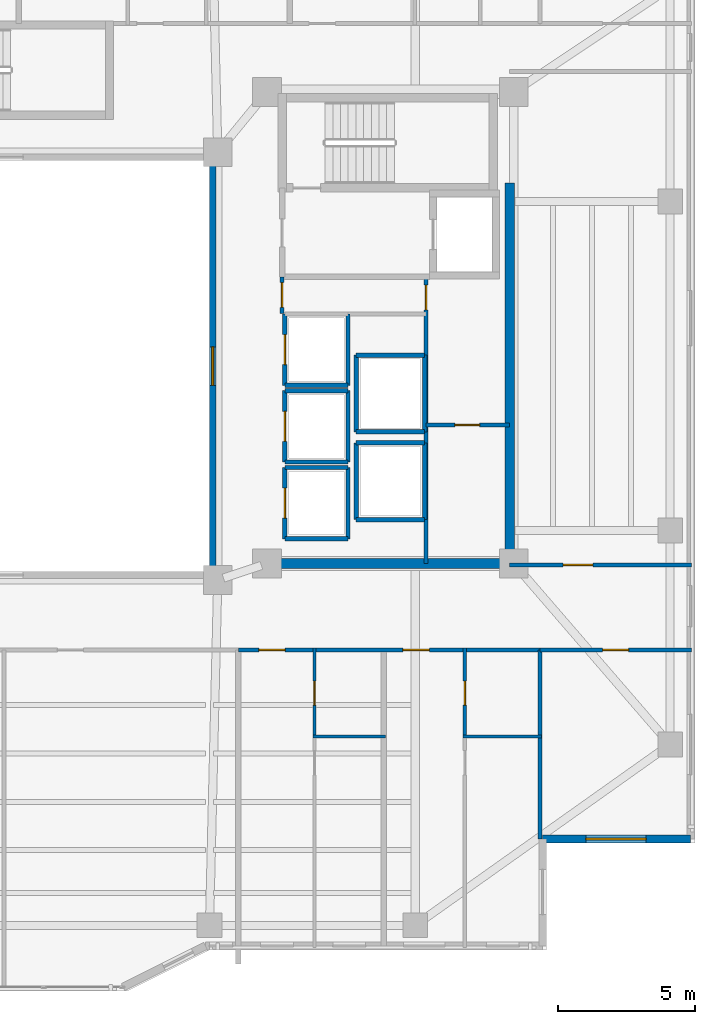
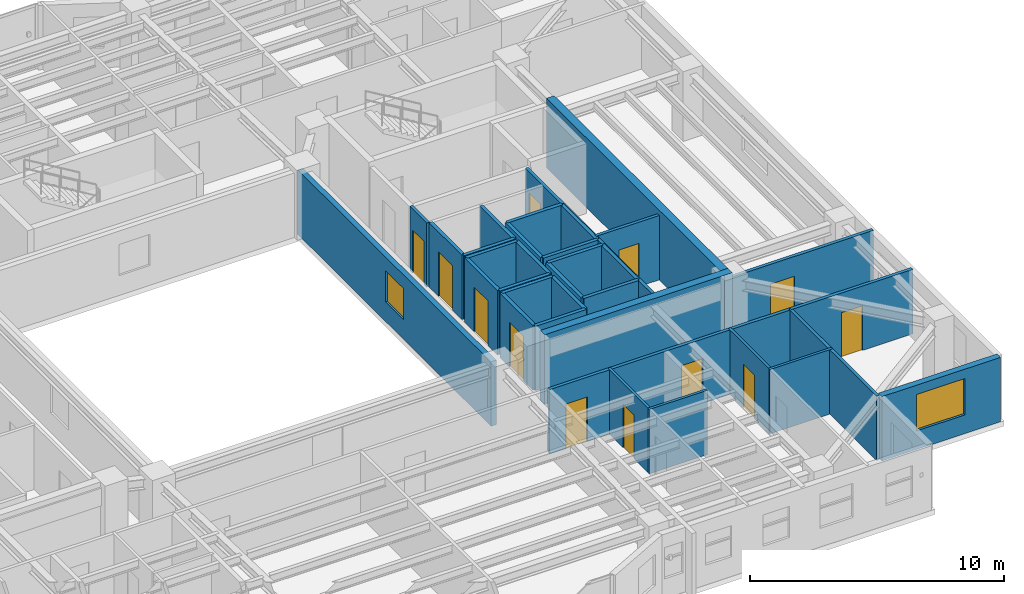
# One storey, part 8 of 16: 34 walls, 12 doors, 2 windows, 14 openings.
"""IFC4 building model written with IfcOpenShell, lengths in metres."""

from ifc_helpers import new_model, si_unit, direction, frame, frame_2d, origin, place, context, subcontext, project, spatial, rectangle, extrude, material, layer, layer_set, type_object, element, fill, save


model = new_model("IFC4")

# Units and contexts
model_context = context("Model", 3, precision=1e-05, world=origin(), true_north=direction((0.0, 1.0)))
body_context = subcontext(model_context, "Body", "Model", "MODEL_VIEW")
ifc_project = project(units=[si_unit("LENGTHUNIT", "METRE"), si_unit("AREAUNIT", "SQUARE_METRE"), si_unit("VOLUMEUNIT", "CUBIC_METRE"), si_unit("PLANEANGLEUNIT", "RADIAN"), si_unit("MASSUNIT", "GRAM", prefix="KILO")], contexts=[model_context])

# Site, building, storey
site_placement = place(None, origin())
site = spatial("IfcSite", under=ifc_project, at=site_placement, CompositionType="ELEMENT")
building_placement = place(site_placement, origin())
building = spatial("IfcBuilding", under=site, at=building_placement, Name="Tarnavaz Court Tower", CompositionType="ELEMENT")
storey_placement = place(building_placement, frame((0.0, 0.0, 152.699951171875)))
storey = spatial("IfcBuildingStorey", under=building, at=storey_placement, Name="L41", CompositionType="ELEMENT", Elevation=152.699951171875)

# Walls
ifc_material_1 = material(Name="Concrete C50/60", Category="concrete")
ifc_layer_1 = layer(ifc_material_1, 0.35009765625)
ifc_layer_set_1 = layer_set([ifc_layer_1], Name="Concrete C50/60")
wall_type_1 = type_object("IfcWallType", Name="WL-CORE-350-C50", PredefinedType="SHEAR", material=ifc_layer_set_1)
wall_1_placement = place(storey_placement, frame((18.449951171875, -7.375, 0.0), z_axis=(0.0, 0.0, 1.0), x_axis=(0.0, 1.0, 0.0)))
element("IfcWall", 1, at=wall_1_placement, inside=storey, type_object=wall_type_1, Name="L41 East Core Shear Wall 059", PredefinedType="SHEAR", context=body_context, shape_type="SweptSolid", body=[
    extrude(rectangle(XDim=14.050048828125, YDim=0.35009765625, at=frame_2d((7.02490234375, 0.0))), origin(), (0.0, 0.0, 1.0), 3.35009765625),
])
wall_2_placement = place(storey_placement, frame((10.074951171875, -7.199951171875, 0.0), z_axis=(0.0, 0.0, 1.0), x_axis=(1.0, 0.0, 0.0)))
element("IfcWall", 2, at=wall_2_placement, inside=storey, type_object=wall_type_1, Name="L41 East Core South Shear Wall 060", PredefinedType="SHEAR", context=body_context, shape_type="SweptSolid", body=[
    extrude(rectangle(XDim=8.550048828125, YDim=0.35009765625, at=frame_2d((4.27490234375, 0.0))), origin(), (0.0, 0.0, 1.0), 3.35009765625),
])

# Wall, opening, window
ifc_material_2 = material(Name="Precast Concrete C40/50", Category="concrete")
ifc_layer_2 = layer(ifc_material_2, 0.280029296875)
ifc_layer_set_2 = layer_set([ifc_layer_2], Name="Precast Concrete C40/50")
wall_type_2 = type_object("IfcWallType", Name="WL-EXT-280", PredefinedType="SOLIDWALL", material=ifc_layer_set_2)
wall_3_placement = place(storey_placement, frame((25.050048828125, -17.25, 0.0), z_axis=(0.0, 0.0, 1.0), x_axis=(-1.0, 0.0, 0.0)))
wall_3 = element("IfcWall", 3, at=wall_3_placement, inside=storey, type_object=wall_type_2, Name="L41 Exterior Terracotta Facade Wall 13", PredefinedType="SOLIDWALL", context=body_context, shape_type="SweptSolid", body=[
    extrude(rectangle(XDim=5.400146484375, YDim=0.280029296875, at=frame_2d((2.7001953125, 0.0))), origin(), (0.0, 0.0, 1.0), 3.10009765625),
])
opening_1_placement = place(wall_3_placement, frame((1.625, 0.0, 0.89990234375)))
opening_1 = element("IfcOpeningElement", 4, at=opening_1_placement, cuts=wall_3, Name="Opening W07", PredefinedType="OPENING", context=body_context, shape_type="SweptSolid", body=[
    extrude(rectangle(XDim=2.199951171875, YDim=1.75, at=frame_2d((1.10009765625, 0.875))), frame((0.0, 0.14990234375, 0.0), z_axis=(0.0, -1.0, 0.0), x_axis=(1.0, 0.0, 0.0)), (0.0, 0.0, 1.0), 0.300048828125),
])
ifc_material_3 = material(Name="Double-Glazed Solar Low-E Glass", Category="glass")
window_type_1 = type_object("IfcWindowType", Name="WN-APT-2200", PartitioningType="TRIPLE_PANEL_VERTICAL", PredefinedType="WINDOW", material=ifc_material_3)
window_1_placement = place(opening_1_placement, origin())
window_1 = element("IfcWindow", 5, at=window_1_placement, inside=storey, type_object=window_type_1, Name="L41 South-East Corner Reading Room Window", OverallHeight=1.75, OverallWidth=2.199951171875, PartitioningType="SINGLE_PANEL", PredefinedType="WINDOW", context=body_context, shape_type="SweptSolid", body=[
    extrude(rectangle(XDim=2.199951171875, YDim=1.75, at=frame_2d((1.10009765625, 0.875))), frame((0.0, 0.030029296875, 0.0), z_axis=(0.0, -1.0, 0.0), x_axis=(1.0, 0.0, 0.0)), (0.0, 0.0, 1.0), 0.06005859375),
])
fill(opening_1, window_1)

# Wall, openings, doors
ifc_material_4 = material(Name="Gypsum Fire-Board on Acoustic Metal Stud", Category="masonry")
ifc_layer_3 = layer(ifc_material_4, 0.14990234375)
ifc_layer_set_3 = layer_set([ifc_layer_3], Name="Gypsum Fire-Board on Acoustic Metal Stud")
wall_type_3 = type_object("IfcWallType", Name="WL-FIRE-150", PredefinedType="PARTITIONING", material=ifc_layer_set_3)
wall_4_placement = place(storey_placement, frame((8.550048828125, -10.35009765625, 0.0), z_axis=(0.0, 0.0, 1.0), x_axis=(1.0, 0.0, 0.0)))
wall_4 = element("IfcWall", 6, at=wall_4_placement, inside=storey, type_object=wall_type_3, Name="L41 SE Horseshoe Wall 074", PredefinedType="PARTITIONING", context=body_context, shape_type="SweptSolid", body=[
    extrude(rectangle(XDim=11.0, YDim=0.14990234375, at=frame_2d((5.5, 0.0))), origin(), (0.0, 0.0, 1.0), 3.10009765625),
])
opening_2_placement = place(wall_4_placement, frame((0.75, 0.0, 0.0)))
opening_2 = element("IfcOpeningElement", 7, at=opening_2_placement, cuts=wall_4, Name="Opening D06", PredefinedType="OPENING", context=body_context, shape_type="SweptSolid", body=[
    extrude(rectangle(XDim=0.9599609375, YDim=2.14990234375, at=frame_2d((0.47998046875, 1.074951171875))), frame((0.0, 0.0849609375, 0.0), z_axis=(0.0, -1.0, 0.0), x_axis=(1.0, 0.0, 0.0)), (0.0, 0.0, 1.0), 0.169921875),
])
opening_3_placement = place(wall_4_placement, frame((6.006103515625, 0.0, 0.0)))
opening_3 = element("IfcOpeningElement", 8, at=opening_3_placement, cuts=wall_4, Name="Opening D06", PredefinedType="OPENING", context=body_context, shape_type="SweptSolid", body=[
    extrude(rectangle(XDim=0.9599609375, YDim=2.14990234375, at=frame_2d((0.47998046875, 1.074951171875))), frame((0.0, 0.0849609375, 0.0), z_axis=(0.0, -1.0, 0.0), x_axis=(1.0, 0.0, 0.0)), (0.0, 0.0, 1.0), 0.169921875),
])
ifc_material_5 = material(Name="Fire-Rated Hardwood Timber Core", Category="wood")
door_type_1 = type_object("IfcDoorType", Name="DR-FD60-950", OperationType="NOTDEFINED", PredefinedType="DOOR", material=ifc_material_5)
door_1_placement = place(opening_2_placement, origin())
door_1 = element("IfcDoor", 9, at=door_1_placement, inside=storey, type_object=door_type_1, Name="L41 Flat 07 Entrance Door", OperationType="SINGLE_SWING_LEFT", OverallHeight=2.14990234375, OverallWidth=0.9599609375, PredefinedType="DOOR", context=body_context, shape_type="SweptSolid", body=[
    extrude(rectangle(XDim=0.9599609375, YDim=2.14990234375, at=frame_2d((0.47998046875, 1.074951171875))), frame((0.0, 0.02490234375, 0.0), z_axis=(0.0, -1.0, 0.0), x_axis=(1.0, 0.0, 0.0)), (0.0, 0.0, 1.0), 0.050048828125),
])
fill(opening_2, door_1)
door_2_placement = place(opening_3_placement, origin())
door_2 = element("IfcDoor", 10, at=door_2_placement, inside=storey, type_object=door_type_1, Name="L41 Flat 08 Entrance Door", OperationType="SINGLE_SWING_RIGHT", OverallHeight=2.14990234375, OverallWidth=0.9599609375, PredefinedType="DOOR", context=body_context, shape_type="SweptSolid", body=[
    extrude(rectangle(XDim=0.9599609375, YDim=2.14990234375, at=frame_2d((0.47998046875, 1.074951171875))), frame((0.0, 0.02490234375, 0.0), z_axis=(0.0, -1.0, 0.0), x_axis=(1.0, 0.0, 0.0)), (0.0, 0.0, 1.0), 0.050048828125),
])
fill(opening_3, door_2)

# Wall, opening, door
wall_5_placement = place(storey_placement, frame((18.449951171875, -7.25, 0.0), z_axis=(0.0, 0.0, 1.0), x_axis=(1.0, 0.0, 0.0)))
wall_5 = element("IfcWall", 11, at=wall_5_placement, inside=storey, type_object=wall_type_3, Name="L41 Interior Partition 120", PredefinedType="PARTITIONING", context=body_context, shape_type="SweptSolid", body=[
    extrude(rectangle(XDim=6.630126953125, YDim=0.14990234375, at=frame_2d((3.31494140625, 0.0))), origin(), (0.0, 0.0, 1.0), 3.10009765625),
])
opening_4_placement = place(wall_5_placement, frame((1.949951171875, 0.0, 0.0)))
opening_4 = element("IfcOpeningElement", 12, at=opening_4_placement, cuts=wall_5, Name="Opening D12", PredefinedType="OPENING", context=body_context, shape_type="SweptSolid", body=[
    extrude(rectangle(XDim=1.080078125, YDim=2.14990234375, at=frame_2d((0.5400390625, 1.074951171875))), frame((0.0, 0.0849609375, 0.0), z_axis=(0.0, -1.0, 0.0), x_axis=(1.0, 0.0, 0.0)), (0.0, 0.0, 1.0), 0.169921875),
])
ifc_material_6 = material(Name="Engineered Oak Timber", Category="wood")
door_type_2 = type_object("IfcDoorType", Name="DR-INT-1100", OperationType="NOTDEFINED", PredefinedType="DOOR", material=ifc_material_6)
door_3_placement = place(opening_4_placement, origin())
door_3 = element("IfcDoor", 13, at=door_3_placement, inside=storey, type_object=door_type_2, Name="L41 East Fitness Lounge Door", OperationType="SINGLE_SWING_RIGHT", OverallHeight=2.14990234375, OverallWidth=1.080078125, PredefinedType="DOOR", context=body_context, shape_type="SweptSolid", body=[
    extrude(rectangle(XDim=1.080078125, YDim=2.14990234375, at=frame_2d((0.5400390625, 1.074951171875))), frame((0.0, 0.02490234375, 0.0), z_axis=(0.0, -1.0, 0.0), x_axis=(1.0, 0.0, 0.0)), (0.0, 0.0, 1.0), 0.050048828125),
])
fill(opening_4, door_3)

wall_6_placement = place(storey_placement, frame((19.550048828125, -10.35009765625, 0.0), z_axis=(0.0, 0.0, 1.0), x_axis=(1.0, 0.0, 0.0)))
wall_6 = element("IfcWall", 14, at=wall_6_placement, inside=storey, type_object=wall_type_3, Name="L41 Interior Partition 129", PredefinedType="PARTITIONING", context=body_context, shape_type="SweptSolid", body=[
    extrude(rectangle(XDim=5.530029296875, YDim=0.14990234375, at=frame_2d((2.76513671875, 0.0))), origin(), (0.0, 0.0, 1.0), 3.10009765625),
])
opening_5_placement = place(wall_6_placement, frame((2.2900390625, 0.0, 0.0)))
opening_5 = element("IfcOpeningElement", 15, at=opening_5_placement, cuts=wall_6, Name="Opening D13", PredefinedType="OPENING", context=body_context, shape_type="SweptSolid", body=[
    extrude(rectangle(XDim=0.949951171875, YDim=2.14990234375, at=frame_2d((0.47509765625, 1.074951171875))), frame((0.0, 0.0849609375, 0.0), z_axis=(0.0, -1.0, 0.0), x_axis=(1.0, 0.0, 0.0)), (0.0, 0.0, 1.0), 0.169921875),
])
door_type_3 = type_object("IfcDoorType", Name="DR-INT-950", OperationType="NOTDEFINED", PredefinedType="DOOR", material=ifc_material_6)
door_4_placement = place(opening_5_placement, origin())
door_4 = element("IfcDoor", 16, at=door_4_placement, inside=storey, type_object=door_type_3, Name="L41 SE Reading Room Door", OperationType="SINGLE_SWING_RIGHT", OverallHeight=2.14990234375, OverallWidth=0.949951171875, PredefinedType="DOOR", context=body_context, shape_type="SweptSolid", body=[
    extrude(rectangle(XDim=0.949951171875, YDim=2.14990234375, at=frame_2d((0.47509765625, 1.074951171875))), frame((0.0, 0.02490234375, 0.0), z_axis=(0.0, -1.0, 0.0), x_axis=(1.0, 0.0, 0.0)), (0.0, 0.0, 1.0), 0.050048828125),
])
fill(opening_5, door_4)

ifc_material_7 = material(Name="Moisture-Resistant Gypsum Board Partition", Category="masonry")
ifc_layer_4 = layer(ifc_material_7, 0.1201171875)
ifc_layer_set_4 = layer_set([ifc_layer_4], Name="Moisture-Resistant Gypsum Board Partition")
wall_type_4 = type_object("IfcWallType", Name="WL-PART-120", PredefinedType="PARTITIONING", material=ifc_layer_set_4)
wall_7_placement = place(storey_placement, frame((11.3310546875, -13.510009765625, 0.0), z_axis=(0.0, 0.0, 1.0), x_axis=(0.0, 1.0, 0.0)))
wall_7 = element("IfcWall", 17, at=wall_7_placement, inside=storey, type_object=wall_type_4, Name="L41 Interior Partition 109", PredefinedType="PARTITIONING", context=body_context, shape_type="SweptSolid", body=[
    extrude(rectangle(XDim=3.219970703125, YDim=0.1201171875, at=frame_2d((1.60986328125, 0.0))), origin(), (0.0, 0.0, 1.0), 3.10009765625),
])
opening_6_placement = place(wall_7_placement, frame((1.139892578125, 0.0, 0.0)))
opening_6 = element("IfcOpeningElement", 18, at=opening_6_placement, cuts=wall_7, Name="Opening D14", PredefinedType="OPENING", context=body_context, shape_type="SweptSolid", body=[
    extrude(rectangle(XDim=0.8798828125, YDim=2.10009765625, at=frame_2d((0.43994140625, 1.050048828125))), frame((0.0, 0.070068359375, 0.0), z_axis=(0.0, -1.0, 0.0), x_axis=(1.0, 0.0, 0.0)), (0.0, 0.0, 1.0), 0.14013671875),
])
door_type_4 = type_object("IfcDoorType", Name="DR-INT-900", OperationType="NOTDEFINED", PredefinedType="DOOR", material=ifc_material_6)
door_5_placement = place(opening_6_placement, origin())
door_5 = element("IfcDoor", 19, at=door_5_placement, inside=storey, type_object=door_type_4, Name="L41 Flat 07 Bathroom Door", OperationType="SINGLE_SWING_LEFT", OverallHeight=2.10009765625, OverallWidth=0.8798828125, PredefinedType="DOOR", context=body_context, shape_type="SweptSolid", body=[
    extrude(rectangle(XDim=0.8798828125, YDim=2.10009765625, at=frame_2d((0.43994140625, 1.050048828125))), frame((0.0, 0.02490234375, 0.0), z_axis=(0.0, -1.0, 0.0), x_axis=(1.0, 0.0, 0.0)), (0.0, 0.0, 1.0), 0.050048828125),
])
fill(opening_6, door_5)

# Wall
wall_8_placement = place(storey_placement, frame((11.27099609375, -13.510009765625, 0.0), z_axis=(0.0, 0.0, 1.0), x_axis=(1.0, 0.0, 0.0)))
element("IfcWall", 20, at=wall_8_placement, inside=storey, type_object=wall_type_4, Name="L41 Interior Partition 110", PredefinedType="PARTITIONING", context=body_context, shape_type="SweptSolid", body=[
    extrude(rectangle(XDim=2.64501953125, YDim=0.1201171875, at=frame_2d((1.322509765625, 0.0))), origin(), (0.0, 0.0, 1.0), 3.10009765625),
])

# Wall, opening, door
wall_9_placement = place(storey_placement, frame((16.81396484375, -13.510009765625, 0.0), z_axis=(0.0, 0.0, 1.0), x_axis=(0.0, 1.0, 0.0)))
wall_9 = element("IfcWall", 21, at=wall_9_placement, inside=storey, type_object=wall_type_4, Name="L41 Interior Partition 112", PredefinedType="PARTITIONING", context=body_context, shape_type="SweptSolid", body=[
    extrude(rectangle(XDim=3.219970703125, YDim=0.1201171875, at=frame_2d((1.60986328125, 0.0))), origin(), (0.0, 0.0, 1.0), 3.10009765625),
])
opening_7_placement = place(wall_9_placement, frame((1.139892578125, 0.0, 0.0)))
opening_7 = element("IfcOpeningElement", 22, at=opening_7_placement, cuts=wall_9, Name="Opening D14", PredefinedType="OPENING", context=body_context, shape_type="SweptSolid", body=[
    extrude(rectangle(XDim=0.8798828125, YDim=2.10009765625, at=frame_2d((0.43994140625, 1.050048828125))), frame((0.0, 0.070068359375, 0.0), z_axis=(0.0, -1.0, 0.0), x_axis=(1.0, 0.0, 0.0)), (0.0, 0.0, 1.0), 0.14013671875),
])
door_6_placement = place(opening_7_placement, origin())
door_6 = element("IfcDoor", 23, at=door_6_placement, inside=storey, type_object=door_type_4, Name="L41 Flat 08 Bathroom Door", OperationType="SINGLE_SWING_RIGHT", OverallHeight=2.10009765625, OverallWidth=0.8798828125, PredefinedType="DOOR", context=body_context, shape_type="SweptSolid", body=[
    extrude(rectangle(XDim=0.8798828125, YDim=2.10009765625, at=frame_2d((0.43994140625, 1.050048828125))), frame((0.0, 0.02490234375, 0.0), z_axis=(0.0, -1.0, 0.0), x_axis=(1.0, 0.0, 0.0)), (0.0, 0.0, 1.0), 0.050048828125),
])
fill(opening_7, door_6)

# Wall
wall_10_placement = place(storey_placement, frame((16.75390625, -13.510009765625, 0.0), z_axis=(0.0, 0.0, 1.0), x_axis=(1.0, 0.0, 0.0)))
element("IfcWall", 24, at=wall_10_placement, inside=storey, type_object=wall_type_4, Name="L41 Interior Partition 113", PredefinedType="PARTITIONING", context=body_context, shape_type="SweptSolid", body=[
    extrude(rectangle(XDim=2.856201171875, YDim=0.1201171875, at=frame_2d((1.42822265625, 0.0))), origin(), (0.0, 0.0, 1.0), 3.10009765625),
])

# Wall, opening, door
ifc_material_8 = material(Name="Gypsum Plasterboard Acoustic Partition", Category="masonry")
ifc_layer_5 = layer(ifc_material_8, 0.139892578125)
ifc_layer_set_5 = layer_set([ifc_layer_5], Name="Gypsum Plasterboard Acoustic Partition")
wall_type_5 = type_object("IfcWallType", Name="WL-PART-150", PredefinedType="PARTITIONING", material=ifc_layer_set_5)
wall_11_placement = place(storey_placement, frame((10.14990234375, 1.919921875, 0.0), z_axis=(0.0, 0.0, 1.0), x_axis=(0.0, 1.0, 0.0)))
wall_11 = element("IfcWall", 25, at=wall_11_placement, inside=storey, type_object=wall_type_5, Name="L41 Interior Partition 068", PredefinedType="PARTITIONING", context=body_context, shape_type="SweptSolid", body=[
    extrude(rectangle(XDim=1.330078125, YDim=0.139892578125, at=frame_2d((0.6650390625, 0.0))), origin(), (0.0, 0.0, 1.0), 3.10009765625),
])
opening_8_placement = place(wall_11_placement, frame((0.219970703125, 0.0, 0.0)))
opening_8 = element("IfcOpeningElement", 26, at=opening_8_placement, cuts=wall_11, Name="Opening D09", PredefinedType="OPENING", context=body_context, shape_type="SweptSolid", body=[
    extrude(rectangle(XDim=0.89990234375, YDim=2.080078125, at=frame_2d((0.449951171875, 1.0400390625))), frame((0.0, 0.079833984375, 0.0), z_axis=(0.0, -1.0, 0.0), x_axis=(1.0, 0.0, 0.0)), (0.0, 0.0, 1.0), 0.159912109375),
])
door_type_5 = type_object("IfcDoorType", Name="DR-FD30-900", OperationType="NOTDEFINED", PredefinedType="DOOR", material=ifc_material_5)
door_7_placement = place(opening_8_placement, origin())
door_7 = element("IfcDoor", 27, at=door_7_placement, inside=storey, type_object=door_type_5, Name="L41 East Core Service Lobby Door", OperationType="SINGLE_SWING_RIGHT", OverallHeight=2.080078125, OverallWidth=0.89990234375, PredefinedType="DOOR", context=body_context, shape_type="SweptSolid", body=[
    extrude(rectangle(XDim=0.89990234375, YDim=2.080078125, at=frame_2d((0.449951171875, 1.0400390625))), frame((0.0, 0.02490234375, 0.0), z_axis=(0.0, -1.0, 0.0), x_axis=(1.0, 0.0, 0.0)), (0.0, 0.0, 1.0), 0.050048828125),
])
fill(opening_8, door_7)

wall_12_placement = place(storey_placement, frame((15.39990234375, -7.199951171875, 0.0), z_axis=(0.0, 0.0, 1.0), x_axis=(0.0, 1.0, 0.0)))
wall_12 = element("IfcWall", 28, at=wall_12_placement, inside=storey, type_object=wall_type_5, Name="L41 Interior Partition 069", PredefinedType="PARTITIONING", context=body_context, shape_type="SweptSolid", body=[
    extrude(rectangle(XDim=10.449951171875, YDim=0.139892578125, at=frame_2d((5.22509765625, 0.0))), origin(), (0.0, 0.0, 1.0), 3.10009765625),
])
opening_9_placement = place(wall_12_placement, frame((9.25, 0.0, 0.0)))
opening_9 = element("IfcOpeningElement", 29, at=opening_9_placement, cuts=wall_12, Name="Opening D09", PredefinedType="OPENING", context=body_context, shape_type="SweptSolid", body=[
    extrude(rectangle(XDim=0.89990234375, YDim=2.080078125, at=frame_2d((0.449951171875, 1.0400390625))), frame((0.0, 0.079833984375, 0.0), z_axis=(0.0, -1.0, 0.0), x_axis=(1.0, 0.0, 0.0)), (0.0, 0.0, 1.0), 0.159912109375),
])
door_8_placement = place(opening_9_placement, origin())
door_8 = element("IfcDoor", 30, at=door_8_placement, inside=storey, type_object=door_type_5, Name="L41 East Wet Riser Door", OperationType="SINGLE_SWING_LEFT", OverallHeight=2.080078125, OverallWidth=0.89990234375, PredefinedType="DOOR", context=body_context, shape_type="SweptSolid", body=[
    extrude(rectangle(XDim=0.89990234375, YDim=2.080078125, at=frame_2d((0.449951171875, 1.0400390625))), frame((0.0, 0.02490234375, 0.0), z_axis=(0.0, -1.0, 0.0), x_axis=(1.0, 0.0, 0.0)), (0.0, 0.0, 1.0), 0.050048828125),
])
fill(opening_9, door_8)

wall_13_placement = place(storey_placement, frame((15.39990234375, -2.14990234375, 0.0), z_axis=(0.0, 0.0, 1.0), x_axis=(1.0, 0.0, 0.0)))
wall_13 = element("IfcWall", 31, at=wall_13_placement, inside=storey, type_object=wall_type_5, Name="L41 Interior Partition 070", PredefinedType="PARTITIONING", context=body_context, shape_type="SweptSolid", body=[
    extrude(rectangle(XDim=3.050048828125, YDim=0.139892578125, at=frame_2d((1.52490234375, 0.0))), origin(), (0.0, 0.0, 1.0), 3.10009765625),
])
opening_10_placement = place(wall_13_placement, frame((1.050048828125, 0.0, 0.0)))
opening_10 = element("IfcOpeningElement", 32, at=opening_10_placement, cuts=wall_13, Name="Opening D09", PredefinedType="OPENING", context=body_context, shape_type="SweptSolid", body=[
    extrude(rectangle(XDim=0.89990234375, YDim=2.080078125, at=frame_2d((0.449951171875, 1.0400390625))), frame((0.0, 0.079833984375, 0.0), z_axis=(0.0, -1.0, 0.0), x_axis=(1.0, 0.0, 0.0)), (0.0, 0.0, 1.0), 0.159912109375),
])
door_9_placement = place(opening_10_placement, origin())
door_9 = element("IfcDoor", 33, at=door_9_placement, inside=storey, type_object=door_type_5, Name="L41 East Electrical Plant Door", OperationType="SINGLE_SWING_RIGHT", OverallHeight=2.080078125, OverallWidth=0.89990234375, PredefinedType="DOOR", context=body_context, shape_type="SweptSolid", body=[
    extrude(rectangle(XDim=0.89990234375, YDim=2.080078125, at=frame_2d((0.449951171875, 1.0400390625))), frame((0.0, 0.02490234375, 0.0), z_axis=(0.0, -1.0, 0.0), x_axis=(1.0, 0.0, 0.0)), (0.0, 0.0, 1.0), 0.050048828125),
])
fill(opening_10, door_9)

# Wall
wall_14_placement = place(storey_placement, frame((19.550048828125, -17.25, 0.0), z_axis=(0.0, 0.0, 1.0), x_axis=(0.0, 1.0, 0.0)))
element("IfcWall", 34, at=wall_14_placement, inside=storey, type_object=wall_type_5, Name="L41 Interior Partition 123", PredefinedType="PARTITIONING", context=body_context, shape_type="SweptSolid", body=[
    extrude(rectangle(XDim=6.89990234375, YDim=0.139892578125, at=frame_2d((3.449951171875, 0.0))), origin(), (0.0, 0.0, 1.0), 3.10009765625),
])

# Wall, opening, door
ifc_material_9 = material(Name="Autoclaved Aerated Concrete Blockwork", Category="masonry")
ifc_layer_6 = layer(ifc_material_9, 0.159912109375)
ifc_layer_set_6 = layer_set([ifc_layer_6], Name="Autoclaved Aerated Concrete Blockwork")
wall_type_6 = type_object("IfcWallType", Name="WL-SHAFT-150", PredefinedType="SOLIDWALL", material=ifc_layer_set_6)
wall_15_placement = place(storey_placement, frame((10.25, -6.300048828125, 0.0), z_axis=(0.0, 0.0, 1.0), x_axis=(0.0, 1.0, 0.0)))
wall_15 = element("IfcWall", 35, at=wall_15_placement, inside=storey, type_object=wall_type_6, Name="L41 Lift PL-M1 Shaft Wall 037", PredefinedType="SOLIDWALL", context=body_context, shape_type="SweptSolid", body=[
    extrude(rectangle(XDim=2.60009765625, YDim=0.159912109375, at=frame_2d((1.300048828125, 0.0))), origin(), (0.0, 0.0, 1.0), 3.10009765625),
])
opening_11_placement = place(wall_15_placement, frame((0.75, 0.0, 0.0)))
opening_11 = element("IfcOpeningElement", 36, at=opening_11_placement, cuts=wall_15, Name="Opening LD1", PredefinedType="OPENING", context=body_context, shape_type="SweptSolid", body=[
    extrude(rectangle(XDim=1.10009765625, YDim=2.14990234375, at=frame_2d((0.550048828125, 1.074951171875))), frame((0.0, 0.08984375, 0.0), z_axis=(0.0, -1.0, 0.0), x_axis=(1.0, 0.0, 0.0)), (0.0, 0.0, 1.0), 0.179931640625),
])
ifc_material_10 = material(Name="Stainless Steel", Category="steel")
door_type_6 = type_object("IfcDoorType", Name="DR-LD-1100", OperationType="NOTDEFINED", PredefinedType="DOOR", material=ifc_material_10)
door_10_placement = place(opening_11_placement, origin())
door_10 = element("IfcDoor", 37, at=door_10_placement, inside=storey, type_object=door_type_6, Name="L41 Lift Landing Door LD-PL-M1", OperationType="SLIDING_TO_LEFT", OverallHeight=2.14990234375, OverallWidth=1.10009765625, PredefinedType="DOOR", context=body_context, shape_type="SweptSolid", body=[
    extrude(rectangle(XDim=1.10009765625, YDim=2.14990234375, at=frame_2d((0.550048828125, 1.074951171875))), frame((0.0, 0.02490234375, 0.0), z_axis=(0.0, -1.0, 0.0), x_axis=(1.0, 0.0, 0.0)), (0.0, 0.0, 1.0), 0.050048828125),
])
fill(opening_11, door_10)

# Walls
wall_16_placement = place(storey_placement, frame((12.550048828125, -6.300048828125, 0.0), z_axis=(0.0, 0.0, 1.0), x_axis=(0.0, 1.0, 0.0)))
element("IfcWall", 38, at=wall_16_placement, inside=storey, type_object=wall_type_6, Name="L41 Lift PL-M1 Shaft Wall 038", PredefinedType="SOLIDWALL", context=body_context, shape_type="SweptSolid", body=[
    extrude(rectangle(XDim=2.60009765625, YDim=0.159912109375, at=frame_2d((1.300048828125, 0.0))), origin(), (0.0, 0.0, 1.0), 3.10009765625),
])
for number, where, z_axis, x_axis, name in (
    (39, (10.25, -6.300048828125, 0.0), (0.0, 0.0, 1.0), (1.0, 0.0, 0.0), "L41 Lift PL-M1 Shaft Wall 039"),
    (40, (10.25, -3.699951171875, 0.0), (0.0, 0.0, 1.0), (1.0, 0.0, 0.0), "L41 Lift PL-M1 Shaft Wall 040"),
):
    element("IfcWall", number, at=place(storey_placement, frame(where, z_axis=z_axis, x_axis=x_axis)), inside=storey, type_object=wall_type_6, Name=name, PredefinedType="SOLIDWALL", context=body_context, shape_type="SweptSolid", body=[
        extrude(rectangle(XDim=2.300048828125, YDim=0.159912109375, at=frame_2d((1.14990234375, 0.0))), origin(), (0.0, 0.0, 1.0), 3.10009765625),
    ])

# Wall, opening, door
wall_17_placement = place(storey_placement, frame((10.25, -3.5, 0.0), z_axis=(0.0, 0.0, 1.0), x_axis=(0.0, 1.0, 0.0)))
wall_17 = element("IfcWall", 41, at=wall_17_placement, inside=storey, type_object=wall_type_6, Name="L41 Lift PL-M2 Shaft Wall 041", PredefinedType="SOLIDWALL", context=body_context, shape_type="SweptSolid", body=[
    extrude(rectangle(XDim=2.60009765625, YDim=0.159912109375, at=frame_2d((1.300048828125, 0.0))), origin(), (0.0, 0.0, 1.0), 3.10009765625),
])
opening_12_placement = place(wall_17_placement, frame((0.75, 0.0, 0.0)))
opening_12 = element("IfcOpeningElement", 42, at=opening_12_placement, cuts=wall_17, Name="Opening LD1", PredefinedType="OPENING", context=body_context, shape_type="SweptSolid", body=[
    extrude(rectangle(XDim=1.10009765625, YDim=2.14990234375, at=frame_2d((0.550048828125, 1.074951171875))), frame((0.0, 0.08984375, 0.0), z_axis=(0.0, -1.0, 0.0), x_axis=(1.0, 0.0, 0.0)), (0.0, 0.0, 1.0), 0.179931640625),
])
door_11_placement = place(opening_12_placement, origin())
door_11 = element("IfcDoor", 43, at=door_11_placement, inside=storey, type_object=door_type_6, Name="L41 Lift Landing Door LD-PL-M2", OperationType="SLIDING_TO_LEFT", OverallHeight=2.14990234375, OverallWidth=1.10009765625, PredefinedType="DOOR", context=body_context, shape_type="SweptSolid", body=[
    extrude(rectangle(XDim=1.10009765625, YDim=2.14990234375, at=frame_2d((0.550048828125, 1.074951171875))), frame((0.0, 0.02490234375, 0.0), z_axis=(0.0, -1.0, 0.0), x_axis=(1.0, 0.0, 0.0)), (0.0, 0.0, 1.0), 0.050048828125),
])
fill(opening_12, door_11)

# Walls
wall_18_placement = place(storey_placement, frame((12.550048828125, -3.5, 0.0), z_axis=(0.0, 0.0, 1.0), x_axis=(0.0, 1.0, 0.0)))
element("IfcWall", 44, at=wall_18_placement, inside=storey, type_object=wall_type_6, Name="L41 Lift PL-M2 Shaft Wall 042", PredefinedType="SOLIDWALL", context=body_context, shape_type="SweptSolid", body=[
    extrude(rectangle(XDim=2.60009765625, YDim=0.159912109375, at=frame_2d((1.300048828125, 0.0))), origin(), (0.0, 0.0, 1.0), 3.10009765625),
])
for number, where, z_axis, x_axis, name in (
    (45, (10.25, -3.5, 0.0), (0.0, 0.0, 1.0), (1.0, 0.0, 0.0), "L41 Lift PL-M2 Shaft Wall 043"),
    (46, (10.25, -0.89990234375, 0.0), (0.0, 0.0, 1.0), (1.0, 0.0, 0.0), "L41 Lift PL-M2 Shaft Wall 044"),
):
    element("IfcWall", number, at=place(storey_placement, frame(where, z_axis=z_axis, x_axis=x_axis)), inside=storey, type_object=wall_type_6, Name=name, PredefinedType="SOLIDWALL", context=body_context, shape_type="SweptSolid", body=[
        extrude(rectangle(XDim=2.300048828125, YDim=0.159912109375, at=frame_2d((1.14990234375, 0.0))), origin(), (0.0, 0.0, 1.0), 3.10009765625),
    ])

# Wall, opening, door
wall_19_placement = place(storey_placement, frame((10.25, -0.699951171875, 0.0), z_axis=(0.0, 0.0, 1.0), x_axis=(0.0, 1.0, 0.0)))
wall_19 = element("IfcWall", 47, at=wall_19_placement, inside=storey, type_object=wall_type_6, Name="L41 Lift PL-M3 Shaft Wall 045", PredefinedType="SOLIDWALL", context=body_context, shape_type="SweptSolid", body=[
    extrude(rectangle(XDim=2.599853515625, YDim=0.159912109375, at=frame_2d((1.2998046875, 0.0))), origin(), (0.0, 0.0, 1.0), 3.10009765625),
])
opening_13_placement = place(wall_19_placement, frame((0.75, 0.0, 0.0)))
opening_13 = element("IfcOpeningElement", 48, at=opening_13_placement, cuts=wall_19, Name="Opening LD1", PredefinedType="OPENING", context=body_context, shape_type="SweptSolid", body=[
    extrude(rectangle(XDim=1.10009765625, YDim=2.14990234375, at=frame_2d((0.550048828125, 1.074951171875))), frame((0.0, 0.08984375, 0.0), z_axis=(0.0, -1.0, 0.0), x_axis=(1.0, 0.0, 0.0)), (0.0, 0.0, 1.0), 0.179931640625),
])
door_12_placement = place(opening_13_placement, origin())
door_12 = element("IfcDoor", 49, at=door_12_placement, inside=storey, type_object=door_type_6, Name="L41 Lift Landing Door LD-PL-M3", OperationType="SLIDING_TO_LEFT", OverallHeight=2.14990234375, OverallWidth=1.10009765625, PredefinedType="DOOR", context=body_context, shape_type="SweptSolid", body=[
    extrude(rectangle(XDim=1.10009765625, YDim=2.14990234375, at=frame_2d((0.550048828125, 1.074951171875))), frame((0.0, 0.02490234375, 0.0), z_axis=(0.0, -1.0, 0.0), x_axis=(1.0, 0.0, 0.0)), (0.0, 0.0, 1.0), 0.050048828125),
])
fill(opening_13, door_12)

# Walls
wall_20_placement = place(storey_placement, frame((12.550048828125, -0.699951171875, 0.0), z_axis=(0.0, 0.0, 1.0), x_axis=(0.0, 1.0, 0.0)))
element("IfcWall", 50, at=wall_20_placement, inside=storey, type_object=wall_type_6, Name="L41 Lift PL-M3 Shaft Wall 046", PredefinedType="SOLIDWALL", context=body_context, shape_type="SweptSolid", body=[
    extrude(rectangle(XDim=2.599853515625, YDim=0.159912109375, at=frame_2d((1.2998046875, 0.0))), origin(), (0.0, 0.0, 1.0), 3.10009765625),
])
wall_21_placement = place(storey_placement, frame((10.25, -0.699951171875, 0.0), z_axis=(0.0, 0.0, 1.0), x_axis=(1.0, 0.0, 0.0)))
element("IfcWall", 51, at=wall_21_placement, inside=storey, type_object=wall_type_6, Name="L41 Lift PL-M3 Shaft Wall 047", PredefinedType="SOLIDWALL", context=body_context, shape_type="SweptSolid", body=[
    extrude(rectangle(XDim=2.300048828125, YDim=0.159912109375, at=frame_2d((1.14990234375, 0.0))), origin(), (0.0, 0.0, 1.0), 3.10009765625),
])
for number, where, z_axis, x_axis, name in (
    (52, (12.85009765625, -5.60009765625, 0.0), (0.0, 0.0, 1.0), (0.0, 1.0, 0.0), "L41 Lift PL-OB1 Shaft Wall 049"),
    (53, (15.35009765625, -5.60009765625, 0.0), (0.0, 0.0, 1.0), (0.0, 1.0, 0.0), "L41 Lift PL-OB1 Shaft Wall 050"),
):
    element("IfcWall", number, at=place(storey_placement, frame(where, z_axis=z_axis, x_axis=x_axis)), inside=storey, type_object=wall_type_6, Name=name, PredefinedType="SOLIDWALL", context=body_context, shape_type="SweptSolid", body=[
        extrude(rectangle(XDim=2.800048828125, YDim=0.159912109375, at=frame_2d((1.39990234375, 0.0))), origin(), (0.0, 0.0, 1.0), 3.10009765625),
    ])
for number, where, z_axis, x_axis, name in (
    (54, (12.85009765625, -5.60009765625, 0.0), (0.0, 0.0, 1.0), (1.0, 0.0, 0.0), "L41 Lift PL-OB1 Shaft Wall 051"),
    (55, (12.85009765625, -2.800048828125, 0.0), (0.0, 0.0, 1.0), (1.0, 0.0, 0.0), "L41 Lift PL-OB1 Shaft Wall 052"),
):
    element("IfcWall", number, at=place(storey_placement, frame(where, z_axis=z_axis, x_axis=x_axis)), inside=storey, type_object=wall_type_6, Name=name, PredefinedType="SOLIDWALL", context=body_context, shape_type="SweptSolid", body=[
        extrude(rectangle(XDim=2.5, YDim=0.159912109375, at=frame_2d((1.25, 0.0))), origin(), (0.0, 0.0, 1.0), 3.10009765625),
    ])
for number, where, z_axis, x_axis, name in (
    (56, (12.85009765625, -2.39990234375, 0.0), (0.0, 0.0, 1.0), (0.0, 1.0, 0.0), "L41 Lift PL-OB2 Shaft Wall 053"),
    (57, (15.35009765625, -2.39990234375, 0.0), (0.0, 0.0, 1.0), (0.0, 1.0, 0.0), "L41 Lift PL-OB2 Shaft Wall 054"),
):
    element("IfcWall", number, at=place(storey_placement, frame(where, z_axis=z_axis, x_axis=x_axis)), inside=storey, type_object=wall_type_6, Name=name, PredefinedType="SOLIDWALL", context=body_context, shape_type="SweptSolid", body=[
        extrude(rectangle(XDim=2.7998046875, YDim=0.159912109375, at=frame_2d((1.39990234375, 0.0))), origin(), (0.0, 0.0, 1.0), 3.10009765625),
    ])
for number, where, z_axis, x_axis, name in (
    (58, (12.85009765625, -2.39990234375, 0.0), (0.0, 0.0, 1.0), (1.0, 0.0, 0.0), "L41 Lift PL-OB2 Shaft Wall 055"),
    (59, (12.85009765625, 0.39990234375, 0.0), (0.0, 0.0, 1.0), (1.0, 0.0, 0.0), "L41 Lift PL-OB2 Shaft Wall 056"),
):
    element("IfcWall", number, at=place(storey_placement, frame(where, z_axis=z_axis, x_axis=x_axis)), inside=storey, type_object=wall_type_6, Name=name, PredefinedType="SOLIDWALL", context=body_context, shape_type="SweptSolid", body=[
        extrude(rectangle(XDim=2.5, YDim=0.159912109375, at=frame_2d((1.25, 0.0))), origin(), (0.0, 0.0, 1.0), 3.10009765625),
    ])

# Wall, opening, window
ifc_layer_7 = layer(ifc_material_2, 0.239990234375)
ifc_layer_set_7 = layer_set([ifc_layer_7], Name="Precast Concrete C40/50")
wall_type_7 = type_object("IfcWallType", Name="WL-WELL-240", PredefinedType="SOLIDWALL", material=ifc_layer_set_7)
wall_22_placement = place(storey_placement, frame((7.6201171875, -7.6201171875, 0.0), z_axis=(0.0, 0.0, 1.0), x_axis=(0.0, 1.0, 0.0)))
wall_22 = element("IfcWall", 60, at=wall_22_placement, inside=storey, type_object=wall_type_7, Name="L41 Badgir Light-Well Exterior Wall E", PredefinedType="SOLIDWALL", context=body_context, shape_type="SweptSolid", body=[
    extrude(rectangle(XDim=15.240234375, YDim=0.239990234375, at=frame_2d((7.6201171875, 0.0))), origin(), (0.0, 0.0, 1.0), 3.10009765625),
])
opening_14_placement = place(wall_22_placement, frame((6.919921875, 0.0, 0.949951171875)))
opening_14 = element("IfcOpeningElement", 61, at=opening_14_placement, cuts=wall_22, Name="Opening W13", PredefinedType="OPENING", context=body_context, shape_type="SweptSolid", body=[
    extrude(rectangle(XDim=1.39990234375, YDim=1.5, at=frame_2d((0.699951171875, 0.75))), frame((0.0, 0.1298828125, 0.0), z_axis=(0.0, -1.0, 0.0), x_axis=(1.0, 0.0, 0.0)), (0.0, 0.0, 1.0), 0.260009765625),
])
window_type_2 = type_object("IfcWindowType", Name="WN-WEL-1400", PartitioningType="SINGLE_PANEL", PredefinedType="WINDOW", material=ifc_material_3)
window_2_placement = place(opening_14_placement, origin())
window_2 = element("IfcWindow", 62, at=window_2_placement, inside=storey, type_object=window_type_2, Name="L41 Courtyard Gallery Window E", OverallHeight=1.5, OverallWidth=1.39990234375, PartitioningType="SINGLE_PANEL", PredefinedType="WINDOW", context=body_context, shape_type="SweptSolid", body=[
    extrude(rectangle(XDim=1.39990234375, YDim=1.5, at=frame_2d((0.699951171875, 0.75))), frame((0.0, 0.030029296875, 0.0), z_axis=(0.0, -1.0, 0.0), x_axis=(1.0, 0.0, 0.0)), (0.0, 0.0, 1.0), 0.06005859375),
])
fill(opening_14, window_2)

save(model, "model.ifc")
